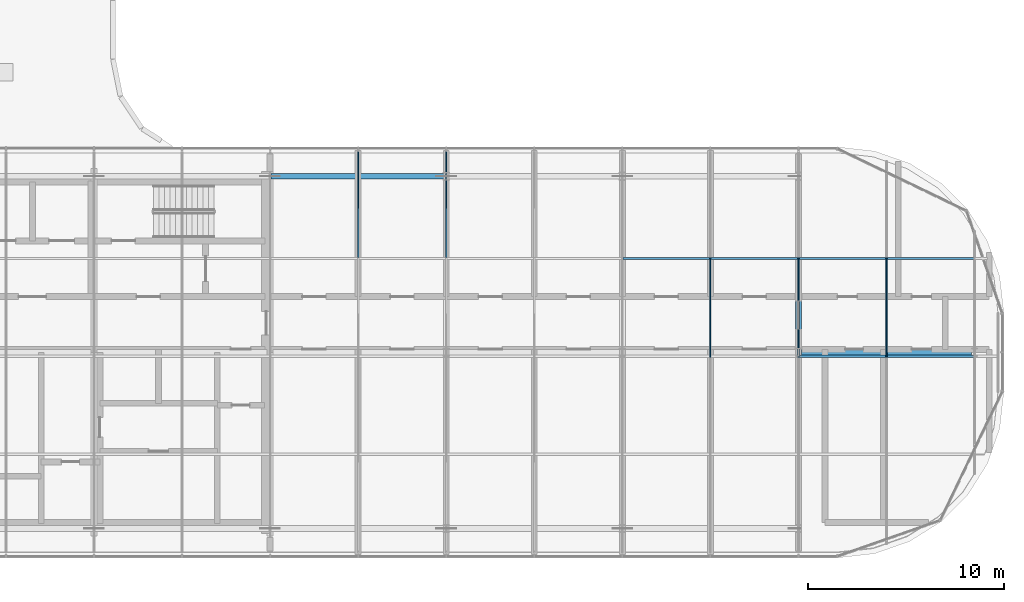
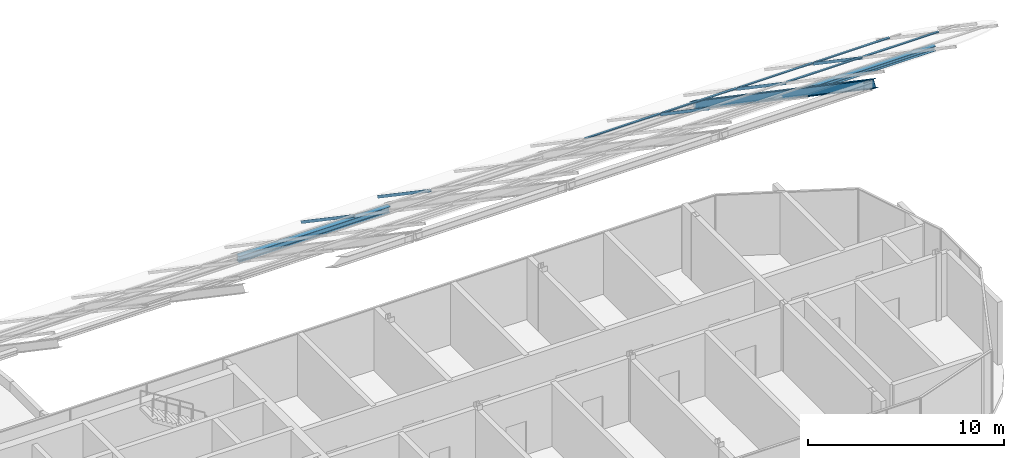
# One storey, part 13 of 25: 14 members, 3 elements without a shape of their own.
"""IFC4 building model written with IfcOpenShell, lengths in metres."""

from ifc_helpers import new_model, si_unit, direction, frame, origin, origin_2d, place, context, subcontext, project, spatial, rectangle, i_section, extrude, material, material_profile, profile_set, type_object, element, aggregate, save


model = new_model("IFC4")

# Units and contexts
model_context = context("Model", 3, precision=1e-05, world=origin(), true_north=direction((0.0, 1.0)))
body_context = subcontext(model_context, "Body", "Model", "MODEL_VIEW")
ifc_project = project(units=[si_unit("LENGTHUNIT", "METRE"), si_unit("AREAUNIT", "SQUARE_METRE"), si_unit("VOLUMEUNIT", "CUBIC_METRE"), si_unit("PLANEANGLEUNIT", "RADIAN"), si_unit("MASSUNIT", "GRAM", prefix="KILO")], contexts=[model_context])

# Site, building, storey
site_placement = place(None, origin())
site = spatial("IfcSite", under=ifc_project, at=site_placement, CompositionType="ELEMENT")
building_placement = place(site_placement, origin())
building = spatial("IfcBuilding", under=site, at=building_placement, Name="Ogive Portal Towers", CompositionType="ELEMENT")
storey_placement = place(building_placement, frame((0.0, 0.0, 272.89990234375)))
storey = spatial("IfcBuildingStorey", under=building, at=storey_placement, Name="L66", CompositionType="ELEMENT", Elevation=272.89990234375)

# Members
ifc_material_1 = material(Name="Steel S355", Category="steel")
ifc_material_profile_1 = material_profile(ifc_material_1, i_section(OverallWidth=0.300048828125, OverallDepth=0.389892578125, WebThickness=0.010986328125, FlangeThickness=0.01904296875, FilletRadius=0.027099609375, at=origin_2d()), Name="HEA 400")
ifc_profile_set_1 = profile_set([ifc_material_profile_1], Name="Steel S355")
member_type_1 = type_object("IfcMemberType", Name="CROWN EAVE BEAM HEA 400", PredefinedType="STRUT", material=ifc_profile_set_1)
member_1_placement = place(storey_placement, frame((58.550048828125, 39.5, 10.885009765625), z_axis=(1.0, 0.0, 0.0), x_axis=(0.0, 1.0, 0.0)))
element("IfcMember", 1, at=member_1_placement, inside=storey, type_object=member_type_1, Name="Crown eave", PredefinedType="STRUT", context=body_context, shape_type="SweptSolid", body=[
    extrude(i_section(OverallWidth=0.300048828125, OverallDepth=0.389892578125, WebThickness=0.010986328125, FlangeThickness=0.01904296875, FilletRadius=0.027099609375, at=origin_2d()), origin(), (0.0, 0.0, 1.0), 8.89990234375),
])
ifc_material_profile_2 = material_profile(ifc_material_1, i_section(OverallWidth=0.300048828125, OverallDepth=0.300048828125, WebThickness=0.010986328125, FlangeThickness=0.01904296875, FilletRadius=0.027099609375, at=origin_2d()), Name="HEB 300")
ifc_profile_set_2 = profile_set([ifc_material_profile_2], Name="Steel S355")
member_type_2 = type_object("IfcMemberType", Name="CROWN PURLIN HEB 300", PredefinedType="PURLIN", material=ifc_profile_set_2)
member_2_placement = place(storey_placement, frame((85.64990234375, 30.5, 16.9501953125), z_axis=(1.0, 0.0, 0.0), x_axis=(0.0, 1.0, 0.0)))
element("IfcMember", 2, at=member_2_placement, inside=storey, type_object=member_type_2, Name="Crown purlin", PredefinedType="PURLIN", context=body_context, shape_type="SweptSolid", body=[
    extrude(i_section(OverallWidth=0.300048828125, OverallDepth=0.300048828125, WebThickness=0.010986328125, FlangeThickness=0.01904296875, FilletRadius=0.027099609375, at=origin_2d()), origin(), (0.0, 0.0, 1.0), 8.7001953125),
])
ifc_material_profile_3 = material_profile(ifc_material_1, i_section(OverallWidth=0.300048828125, OverallDepth=0.5, WebThickness=0.014404296875, FlangeThickness=0.028076171875, FilletRadius=0.027099609375, at=origin_2d()), Name="HEB 500")
ifc_profile_set_3 = profile_set([ifc_material_profile_3], Name="Steel S355")
member_type_3 = type_object("IfcMemberType", Name="CROWN RAFTER HEB 500", PredefinedType="RAFTER", material=ifc_profile_set_3)
member_3_placement = place(storey_placement, frame((85.5, 21.25, 23.397705078125), z_axis=(0.0, 0.826929952607, -0.562304947054), x_axis=(-1.0, 0.0, 0.0)))
element("IfcMember", 3, at=member_3_placement, inside=storey, type_object=member_type_3, Name="Crown rafter", PredefinedType="RAFTER", context=body_context, shape_type="SweptSolid", body=[
    extrude(i_section(OverallWidth=0.300048828125, OverallDepth=0.5, WebThickness=0.014404296875, FlangeThickness=0.028076171875, FilletRadius=0.027099609375, at=origin_2d()), origin(), (0.0, 0.0, 1.0), 22.371826171875),
])

# Curtain wall, members
ifc_material_2 = material(Name="Glass, clear low-iron insulated glazing", Category="glass")
curtain_wall_type = type_object("IfcCurtainWallType", Name="CW CROWN GLAZING", PredefinedType="NOTDEFINED", material=ifc_material_2)
curtain_wall_1_placement = place(storey_placement, origin())
curtain_wall_1 = element("IfcCurtainWall", 4, at=curtain_wall_1_placement, inside=storey, type_object=curtain_wall_type, Name="Crown roof glazing 3", PredefinedType="NOTDEFINED")
ifc_material_3 = material(Name="Aluminium 6063 anodised", Category="aluminium")
ifc_material_profile_4 = material_profile(ifc_material_3, rectangle(XDim=0.06005859375, YDim=0.159912109375, at=origin_2d()), Name="AL 60x160 rafter")
ifc_profile_set_4 = profile_set([ifc_material_profile_4], Name="Aluminium 6063 anodised")
member_type_4 = type_object("IfcMemberType", Name="CW ROOF RAFTER 60x160", PredefinedType="MULLION", material=ifc_profile_set_4)
member_4_placement = place(storey_placement, frame((63.0, 35.300048828125, 14.53173828125), z_axis=(0.0, 0.826913289784, -0.562329450748), x_axis=(-1.0, 0.0, 0.0)))
member_4 = element("IfcMember", 5, at=member_4_placement, type_object=member_type_4, Name="roof rafter", PredefinedType="MULLION", context=body_context, shape_type="SweptSolid", body=[
    extrude(rectangle(XDim=0.06005859375, YDim=0.159912109375, at=origin_2d()), origin(), (0.0, 0.0, 1.0), 6.5302734375),
])
member_5_placement = place(storey_placement, frame((67.5, 35.300048828125, 14.53173828125), z_axis=(0.0, 0.826913289784, -0.562329450748), x_axis=(-1.0, 0.0, 0.0)))
member_5 = element("IfcMember", 6, at=member_5_placement, type_object=member_type_4, Name="roof rafter", PredefinedType="MULLION", context=body_context, shape_type="SweptSolid", body=[
    extrude(rectangle(XDim=0.06005859375, YDim=0.159912109375, at=origin_2d()), origin(), (0.0, 0.0, 1.0), 6.5302734375),
])
aggregate(curtain_wall_1, [member_4, member_5])

# Curtain wall, member
curtain_wall_2_placement = place(storey_placement, origin())
curtain_wall_2 = element("IfcCurtainWall", 7, at=curtain_wall_2_placement, inside=storey, type_object=curtain_wall_type, Name="Crown roof glazing 4", PredefinedType="NOTDEFINED")
member_6_placement = place(storey_placement, frame((81.0, 30.300048828125, 17.931640625), z_axis=(0.0, 0.82693401206, -0.562298977146), x_axis=(-1.0, 0.0, 0.0)))
member_6 = element("IfcMember", 8, at=member_6_placement, type_object=member_type_4, Name="roof rafter", PredefinedType="MULLION", context=body_context, shape_type="SweptSolid", body=[
    extrude(rectangle(XDim=0.06005859375, YDim=0.159912109375, at=origin_2d()), origin(), (0.0, 0.0, 1.0), 6.04638671875),
])

# Curtain wall, members
curtain_wall_3_placement = place(storey_placement, origin())
curtain_wall_3 = element("IfcCurtainWall", 9, at=curtain_wall_3_placement, inside=storey, type_object=curtain_wall_type, Name="Crown roof glazing 5", PredefinedType="NOTDEFINED")
member_7_placement = place(storey_placement, frame((85.5, 30.300048828125, 17.931640625), z_axis=(0.0, 0.82693401206, -0.562298977146), x_axis=(-1.0, 0.0, 0.0)))
member_7 = element("IfcMember", 10, at=member_7_placement, type_object=member_type_4, Name="roof rafter", PredefinedType="MULLION", context=body_context, shape_type="SweptSolid", body=[
    extrude(rectangle(XDim=0.06005859375, YDim=0.159912109375, at=origin_2d()), origin(), (0.0, 0.0, 1.0), 6.04638671875),
])
member_8_placement = place(storey_placement, frame((90.0, 30.300048828125, 17.931640625), z_axis=(0.0, 0.82693401206, -0.562298977146), x_axis=(-1.0, 0.0, 0.0)))
member_8 = element("IfcMember", 11, at=member_8_placement, type_object=member_type_4, Name="roof rafter", PredefinedType="MULLION", context=body_context, shape_type="SweptSolid", body=[
    extrude(rectangle(XDim=0.06005859375, YDim=0.159912109375, at=origin_2d()), origin(), (0.0, 0.0, 1.0), 6.04638671875),
])

# Member
ifc_material_profile_5 = material_profile(ifc_material_3, rectangle(XDim=0.1201171875, YDim=0.06005859375, at=origin_2d()), Name="AL 120x60")
ifc_profile_set_5 = profile_set([ifc_material_profile_5], Name="Aluminium 6063 anodised")
member_type_5 = type_object("IfcMemberType", Name="CW TRANSOM 60x120", PredefinedType="USERDEFINED", material=ifc_profile_set_5)
member_9_placement = place(storey_placement, frame((76.530029296875, 35.300048828125, 14.592041015625), z_axis=(1.0, 0.0, 0.0), x_axis=(0.0, 1.0, 0.0)))
member_9 = element("IfcMember", 12, at=member_9_placement, type_object=member_type_5, Name="roof transom", ObjectType="TRANSOM", PredefinedType="USERDEFINED", context=body_context, shape_type="SweptSolid", body=[
    extrude(rectangle(XDim=0.1201171875, YDim=0.06005859375, at=origin_2d()), origin(), (0.0, 0.0, 1.0), 4.43994140625),
])

aggregate(curtain_wall_2, [member_6, member_9])

member_10_placement = place(storey_placement, frame((85.530029296875, 30.300048828125, 17.9921875), z_axis=(1.0, 0.0, 0.0), x_axis=(0.0, 1.0, 0.0)))
member_10 = element("IfcMember", 13, at=member_10_placement, type_object=member_type_5, Name="roof transom", ObjectType="TRANSOM", PredefinedType="USERDEFINED", context=body_context, shape_type="SweptSolid", body=[
    extrude(rectangle(XDim=0.1201171875, YDim=0.06005859375, at=origin_2d()), origin(), (0.0, 0.0, 1.0), 4.43994140625),
])

member_11_placement = place(storey_placement, frame((90.030029296875, 30.300048828125, 17.9921875), z_axis=(1.0, 0.0, 0.0), x_axis=(0.0, 1.0, 0.0)))
member_11 = element("IfcMember", 14, at=member_11_placement, type_object=member_type_5, Name="roof transom", ObjectType="TRANSOM", PredefinedType="USERDEFINED", context=body_context, shape_type="SweptSolid", body=[
    extrude(rectangle(XDim=0.1201171875, YDim=0.06005859375, at=origin_2d()), origin(), (0.0, 0.0, 1.0), 4.43994140625),
])

member_12_placement = place(storey_placement, frame((81.030029296875, 35.300048828125, 14.592041015625), z_axis=(1.0, 0.0, 0.0), x_axis=(0.0, 1.0, 0.0)))
member_12 = element("IfcMember", 15, at=member_12_placement, type_object=member_type_5, Name="roof transom", ObjectType="TRANSOM", PredefinedType="USERDEFINED", context=body_context, shape_type="SweptSolid", body=[
    extrude(rectangle(XDim=0.1201171875, YDim=0.06005859375, at=origin_2d()), origin(), (0.0, 0.0, 1.0), 4.43994140625),
])

member_13_placement = place(storey_placement, frame((85.530029296875, 35.300048828125, 14.592041015625), z_axis=(1.0, 0.0, 0.0), x_axis=(0.0, 1.0, 0.0)))
member_13 = element("IfcMember", 16, at=member_13_placement, type_object=member_type_5, Name="roof transom", ObjectType="TRANSOM", PredefinedType="USERDEFINED", context=body_context, shape_type="SweptSolid", body=[
    extrude(rectangle(XDim=0.1201171875, YDim=0.06005859375, at=origin_2d()), origin(), (0.0, 0.0, 1.0), 4.43994140625),
])

member_14_placement = place(storey_placement, frame((90.030029296875, 35.300048828125, 14.592041015625), z_axis=(1.0, 0.0, 0.0), x_axis=(0.0, 1.0, 0.0)))
member_14 = element("IfcMember", 17, at=member_14_placement, type_object=member_type_5, Name="roof transom", ObjectType="TRANSOM", PredefinedType="USERDEFINED", context=body_context, shape_type="SweptSolid", body=[
    extrude(rectangle(XDim=0.1201171875, YDim=0.06005859375, at=origin_2d()), origin(), (0.0, 0.0, 1.0), 4.43994140625),
])

aggregate(curtain_wall_3, [member_7, member_8, member_10, member_11, member_12, member_13, member_14])

save(model, "model.ifc")
